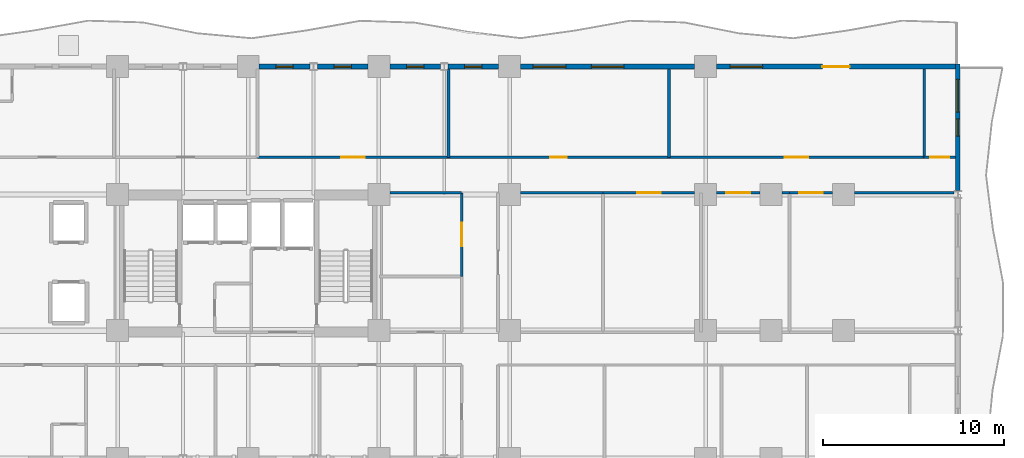
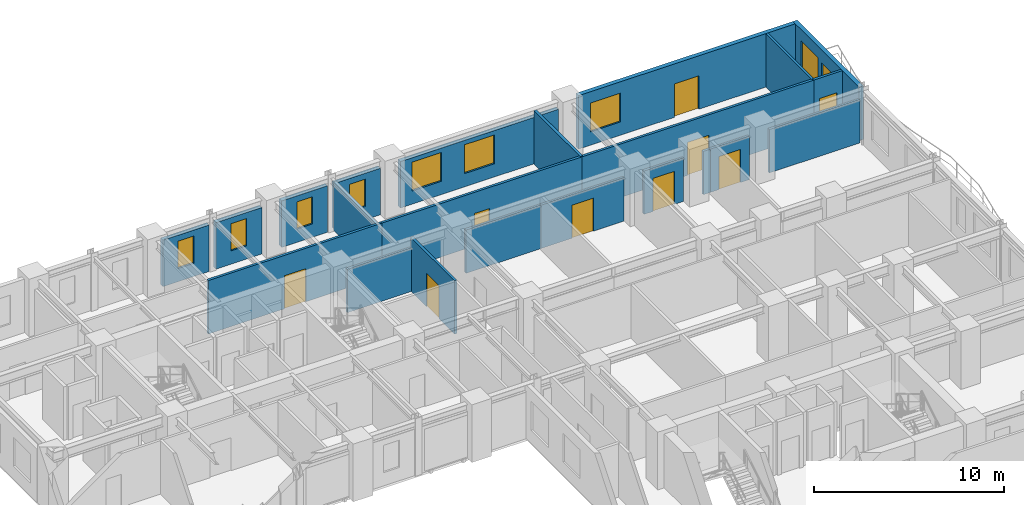
# One storey, part 7 of 11: 22 walls, 9 doors, 9 windows, 18 openings.
"""IFC4 building model written with IfcOpenShell, lengths in metres."""

from ifc_helpers import new_model, si_unit, direction, frame, frame_2d, origin, place, context, subcontext, project, spatial, rectangle, extrude, material, layer, layer_set, type_object, element, fill, save


model = new_model("IFC4")

# Units and contexts
model_context = context("Model", 3, precision=1e-05, world=origin(), true_north=direction((0.0, 1.0)))
body_context = subcontext(model_context, "Body", "Model", "MODEL_VIEW")
ifc_project = project(units=[si_unit("LENGTHUNIT", "METRE"), si_unit("AREAUNIT", "SQUARE_METRE"), si_unit("VOLUMEUNIT", "CUBIC_METRE"), si_unit("PLANEANGLEUNIT", "RADIAN"), si_unit("MASSUNIT", "GRAM", prefix="KILO")], contexts=[model_context])

# Site, building, storey
site_placement = place(None, origin())
site = spatial("IfcSite", under=ifc_project, at=site_placement, CompositionType="ELEMENT")
building_placement = place(site_placement, origin())
building = spatial("IfcBuilding", under=site, at=building_placement, Name="Kaliganga Portal Commons", CompositionType="ELEMENT")
storey_placement = place(building_placement, frame((0.0, 0.0, 104.5)))
storey = spatial("IfcBuildingStorey", under=building, at=storey_placement, Name="L26", CompositionType="ELEMENT", Elevation=104.5)

# Wall, openings, windows
ifc_material_1 = material(Name="Insulated Aluminium-Clad Spandrel Assembly", Category="aluminium")
ifc_layer_1 = layer(ifc_material_1, 0.260009765625)
ifc_layer_set_1 = layer_set([ifc_layer_1], Name="Insulated Aluminium-Clad Spandrel Assembly")
wall_type_1 = type_object("IfcWallType", Name="WL-EXT-SPAND-260", PredefinedType="STANDARD", material=ifc_layer_set_1)
wall_1_placement = place(storey_placement, frame((60.699951171875, 43.330078125, 0.0), z_axis=(0.0, 0.0, 1.0), x_axis=(0.0, -1.0, 0.0)))
wall_1 = element("IfcWall", 1, at=wall_1_placement, inside=storey, type_object=wall_type_1, Name="Exterior Envelope Wall L26 P1-E01-S6", PredefinedType="STANDARD", context=body_context, shape_type="SweptSolid", body=[
    extrude(rectangle(XDim=6.964111328125, YDim=0.260009765625, at=frame_2d((3.48193359375, 0.0))), origin(), (0.0, 0.0, 1.0), 3.429931640625),
])
opening_1_placement = place(wall_1_placement, frame((0.841064453125, 0.0, 0.85009765625)))
opening_1 = element("IfcOpeningElement", 2, at=opening_1_placement, cuts=wall_1, Name="Opening W-01", PredefinedType="OPENING", context=body_context, shape_type="SweptSolid", body=[
    extrude(rectangle(XDim=1.800048828125, YDim=1.85009765625, at=frame_2d((0.89990234375, 0.925048828125))), frame((0.0, 0.14013671875, 0.0), z_axis=(0.0, -1.0, 0.0), x_axis=(1.0, 0.0, 0.0)), (0.0, 0.0, 1.0), 0.280029296875),
])
opening_2_placement = place(wall_1_placement, frame((3.007080078125, 0.0, 0.85009765625)))
opening_2 = element("IfcOpeningElement", 3, at=opening_2_placement, cuts=wall_1, Name="Opening W-04", PredefinedType="OPENING", context=body_context, shape_type="SweptSolid", body=[
    extrude(rectangle(XDim=0.949951171875, YDim=1.75, at=frame_2d((0.47509765625, 0.875))), frame((0.0, 0.14013671875, 0.0), z_axis=(0.0, -1.0, 0.0), x_axis=(1.0, 0.0, 0.0)), (0.0, 0.0, 1.0), 0.280029296875),
])
ifc_material_2 = material(Name="Thermally Broken Aluminium and Low-E Double Glazing", Category="aluminium")
window_type_1 = type_object("IfcWindowType", Name="WIN-NARROW-950", PartitioningType="SINGLE_PANEL", PredefinedType="WINDOW", material=ifc_material_2)
window_1_placement = place(opening_2_placement, origin())
window_1 = element("IfcWindow", 4, at=window_1_placement, inside=storey, type_object=window_type_1, Name="Facade Window L26-P1E01S6-N0", OverallHeight=1.75, OverallWidth=0.949951171875, PartitioningType="SINGLE_PANEL", PredefinedType="WINDOW", context=body_context, shape_type="SweptSolid", body=[
    extrude(rectangle(XDim=0.949951171875, YDim=1.75, at=frame_2d((0.47509765625, 0.875))), frame((0.0, 0.030029296875, 0.0), z_axis=(0.0, -1.0, 0.0), x_axis=(1.0, 0.0, 0.0)), (0.0, 0.0, 1.0), 0.06005859375),
])
fill(opening_2, window_1)
window_type_2 = type_object("IfcWindowType", Name="WIN-STD-1800", PartitioningType="DOUBLE_PANEL_VERTICAL", PredefinedType="WINDOW", material=ifc_material_2)
window_2_placement = place(opening_1_placement, origin())
window_2 = element("IfcWindow", 5, at=window_2_placement, inside=storey, type_object=window_type_2, Name="Facade Window L26-P1E01S6-00", OverallHeight=1.85009765625, OverallWidth=1.800048828125, PartitioningType="SINGLE_PANEL", PredefinedType="WINDOW", context=body_context, shape_type="SweptSolid", body=[
    extrude(rectangle(XDim=1.800048828125, YDim=1.85009765625, at=frame_2d((0.89990234375, 0.925048828125))), frame((0.0, 0.030029296875, 0.0), z_axis=(0.0, -1.0, 0.0), x_axis=(1.0, 0.0, 0.0)), (0.0, 0.0, 1.0), 0.06005859375),
])
fill(opening_1, window_2)

# Wall, openings, door, window
wall_2_placement = place(storey_placement, frame((47.40087890625, 43.199951171875, 0.0), z_axis=(0.0, 0.0, 1.0), x_axis=(1.0, 0.0, 0.0)))
wall_2 = element("IfcWall", 6, at=wall_2_placement, inside=storey, type_object=wall_type_1, Name="Exterior Envelope Wall L26 P1-E02-S1", PredefinedType="STANDARD", context=body_context, shape_type="SweptSolid", body=[
    extrude(rectangle(XDim=13.1640625, YDim=0.260009765625, at=frame_2d((6.58203125, 0.0))), origin(), (0.0, 0.0, 1.0), 3.429931640625),
])
opening_3_placement = place(wall_2_placement, frame((5.83203125, 0.0, 0.0)))
opening_3 = element("IfcOpeningElement", 7, at=opening_3_placement, cuts=wall_2, Name="Opening BD-01", PredefinedType="OPENING", context=body_context, shape_type="SweptSolid", body=[
    extrude(rectangle(XDim=1.5, YDim=2.14990234375, at=frame_2d((0.75, 1.074951171875))), frame((0.0, 0.14013671875, 0.0), z_axis=(0.0, -1.0, 0.0), x_axis=(1.0, 0.0, 0.0)), (0.0, 0.0, 1.0), 0.280029296875),
])
opening_4_placement = place(wall_2_placement, frame((0.74560546875, 0.0, 0.85009765625)))
opening_4 = element("IfcOpeningElement", 8, at=opening_4_placement, cuts=wall_2, Name="Opening W-01", PredefinedType="OPENING", context=body_context, shape_type="SweptSolid", body=[
    extrude(rectangle(XDim=1.800048828125, YDim=1.85009765625, at=frame_2d((0.89990234375, 0.925048828125))), frame((0.0, 0.14013671875, 0.0), z_axis=(0.0, -1.0, 0.0), x_axis=(1.0, 0.0, 0.0)), (0.0, 0.0, 1.0), 0.280029296875),
])
ifc_material_3 = material(Name="Anodized Aluminium and Laminated Safety Glass", Category="aluminium")
door_type_1 = type_object("IfcDoorType", Name="DR-BALC-1500", OperationType="SLIDING_TO_LEFT", PredefinedType="DOOR", material=ifc_material_3)
door_1_placement = place(opening_3_placement, origin())
door_1 = element("IfcDoor", 9, at=door_1_placement, inside=storey, type_object=door_type_1, Name="Balcony Sliding Door L26 balc_north", OperationType="SLIDING_TO_LEFT", OverallHeight=2.14990234375, OverallWidth=1.5, PredefinedType="DOOR", context=body_context, shape_type="SweptSolid", body=[
    extrude(rectangle(XDim=1.5, YDim=2.14990234375, at=frame_2d((0.75, 1.074951171875))), frame((0.0, 0.02490234375, 0.0), z_axis=(0.0, -1.0, 0.0), x_axis=(1.0, 0.0, 0.0)), (0.0, 0.0, 1.0), 0.050048828125),
])
fill(opening_3, door_1)
window_3_placement = place(opening_4_placement, origin())
window_3 = element("IfcWindow", 10, at=window_3_placement, inside=storey, type_object=window_type_2, Name="Facade Window L26-P1E02S1-00", OverallHeight=1.85009765625, OverallWidth=1.800048828125, PartitioningType="SINGLE_PANEL", PredefinedType="WINDOW", context=body_context, shape_type="SweptSolid", body=[
    extrude(rectangle(XDim=1.800048828125, YDim=1.85009765625, at=frame_2d((0.89990234375, 0.925048828125))), frame((0.0, 0.030029296875, 0.0), z_axis=(0.0, -1.0, 0.0), x_axis=(1.0, 0.0, 0.0)), (0.0, 0.0, 1.0), 0.06005859375),
])
fill(opening_4, window_3)

# Wall, openings, windows
wall_3_placement = place(storey_placement, frame((36.60107421875, 43.199951171875, 0.0), z_axis=(0.0, 0.0, 1.0), x_axis=(1.0, 0.0, 0.0)))
wall_3 = element("IfcWall", 11, at=wall_3_placement, inside=storey, type_object=wall_type_1, Name="Exterior Envelope Wall L26 P1-E02-S2", PredefinedType="STANDARD", context=body_context, shape_type="SweptSolid", body=[
    extrude(rectangle(XDim=9.597900390625, YDim=0.260009765625, at=frame_2d((4.798828125, 0.0))), origin(), (0.0, 0.0, 1.0), 2.97998046875),
])
opening_5_placement = place(wall_3_placement, frame((0.69970703125, 0.0, 0.85009765625)))
opening_5 = element("IfcOpeningElement", 12, at=opening_5_placement, cuts=wall_3, Name="Opening W-01", PredefinedType="OPENING", context=body_context, shape_type="SweptSolid", body=[
    extrude(rectangle(XDim=1.800048828125, YDim=1.85009765625, at=frame_2d((0.89990234375, 0.925048828125))), frame((0.0, 0.14013671875, 0.0), z_axis=(0.0, -1.0, 0.0), x_axis=(1.0, 0.0, 0.0)), (0.0, 0.0, 1.0), 0.280029296875),
])
opening_6_placement = place(wall_3_placement, frame((3.89892578125, 0.0, 0.85009765625)))
opening_6 = element("IfcOpeningElement", 13, at=opening_6_placement, cuts=wall_3, Name="Opening W-01", PredefinedType="OPENING", context=body_context, shape_type="SweptSolid", body=[
    extrude(rectangle(XDim=1.800048828125, YDim=1.85009765625, at=frame_2d((0.89990234375, 0.925048828125))), frame((0.0, 0.14013671875, 0.0), z_axis=(0.0, -1.0, 0.0), x_axis=(1.0, 0.0, 0.0)), (0.0, 0.0, 1.0), 0.280029296875),
])
window_4_placement = place(opening_5_placement, origin())
window_4 = element("IfcWindow", 14, at=window_4_placement, inside=storey, type_object=window_type_2, Name="Facade Window L26-P1E02S2-00", OverallHeight=1.85009765625, OverallWidth=1.800048828125, PartitioningType="SINGLE_PANEL", PredefinedType="WINDOW", context=body_context, shape_type="SweptSolid", body=[
    extrude(rectangle(XDim=1.800048828125, YDim=1.85009765625, at=frame_2d((0.89990234375, 0.925048828125))), frame((0.0, 0.030029296875, 0.0), z_axis=(0.0, -1.0, 0.0), x_axis=(1.0, 0.0, 0.0)), (0.0, 0.0, 1.0), 0.06005859375),
])
fill(opening_5, window_4)
window_5_placement = place(opening_6_placement, origin())
window_5 = element("IfcWindow", 15, at=window_5_placement, inside=storey, type_object=window_type_2, Name="Facade Window L26-P1E02S2-01", OverallHeight=1.85009765625, OverallWidth=1.800048828125, PartitioningType="SINGLE_PANEL", PredefinedType="WINDOW", context=body_context, shape_type="SweptSolid", body=[
    extrude(rectangle(XDim=1.800048828125, YDim=1.85009765625, at=frame_2d((0.89990234375, 0.925048828125))), frame((0.0, 0.030029296875, 0.0), z_axis=(0.0, -1.0, 0.0), x_axis=(1.0, 0.0, 0.0)), (0.0, 0.0, 1.0), 0.06005859375),
])
fill(opening_6, window_5)

# Wall, opening, window
wall_4_placement = place(storey_placement, frame((32.60546875, 43.199951171875, 0.0), z_axis=(0.0, 0.0, 1.0), x_axis=(1.0, 0.0, 0.0)))
wall_4 = element("IfcWall", 16, at=wall_4_placement, inside=storey, type_object=wall_type_1, Name="Exterior Envelope Wall L26 P1-E02-S3", PredefinedType="STANDARD", context=body_context, shape_type="SweptSolid", body=[
    extrude(rectangle(XDim=2.79345703125, YDim=0.260009765625, at=frame_2d((1.396728515625, 0.0))), origin(), (0.0, 0.0, 1.0), 2.97998046875),
])
opening_7_placement = place(wall_4_placement, frame((0.921875, 0.0, 0.85009765625)))
opening_7 = element("IfcOpeningElement", 17, at=opening_7_placement, cuts=wall_4, Name="Opening W-04", PredefinedType="OPENING", context=body_context, shape_type="SweptSolid", body=[
    extrude(rectangle(XDim=0.949951171875, YDim=1.75, at=frame_2d((0.47509765625, 0.875))), frame((0.0, 0.14013671875, 0.0), z_axis=(0.0, -1.0, 0.0), x_axis=(1.0, 0.0, 0.0)), (0.0, 0.0, 1.0), 0.280029296875),
])
window_6_placement = place(opening_7_placement, origin())
window_6 = element("IfcWindow", 18, at=window_6_placement, inside=storey, type_object=window_type_1, Name="Facade Window L26-P1E02S3-00", OverallHeight=1.75, OverallWidth=0.949951171875, PartitioningType="SINGLE_PANEL", PredefinedType="WINDOW", context=body_context, shape_type="SweptSolid", body=[
    extrude(rectangle(XDim=0.949951171875, YDim=1.75, at=frame_2d((0.47509765625, 0.875))), frame((0.0, 0.030029296875, 0.0), z_axis=(0.0, -1.0, 0.0), x_axis=(1.0, 0.0, 0.0)), (0.0, 0.0, 1.0), 0.06005859375),
])
fill(opening_7, window_6)

wall_5_placement = place(storey_placement, frame((29.40087890625, 43.199951171875, 0.0), z_axis=(0.0, 0.0, 1.0), x_axis=(1.0, 0.0, 0.0)))
wall_5 = element("IfcWall", 19, at=wall_5_placement, inside=storey, type_object=wall_type_1, Name="Exterior Envelope Wall L26 P1-E02-S4", PredefinedType="STANDARD", context=body_context, shape_type="SweptSolid", body=[
    extrude(rectangle(XDim=2.793701171875, YDim=0.260009765625, at=frame_2d((1.39697265625, 0.0))), origin(), (0.0, 0.0, 1.0), 2.97998046875),
])
opening_8_placement = place(wall_5_placement, frame((0.921630859375, 0.0, 0.85009765625)))
opening_8 = element("IfcOpeningElement", 20, at=opening_8_placement, cuts=wall_5, Name="Opening W-04", PredefinedType="OPENING", context=body_context, shape_type="SweptSolid", body=[
    extrude(rectangle(XDim=0.949951171875, YDim=1.75, at=frame_2d((0.47509765625, 0.875))), frame((0.0, 0.14013671875, 0.0), z_axis=(0.0, -1.0, 0.0), x_axis=(1.0, 0.0, 0.0)), (0.0, 0.0, 1.0), 0.280029296875),
])
window_7_placement = place(opening_8_placement, origin())
window_7 = element("IfcWindow", 21, at=window_7_placement, inside=storey, type_object=window_type_1, Name="Facade Window L26-P1E02S4-00", OverallHeight=1.75, OverallWidth=0.949951171875, PartitioningType="SINGLE_PANEL", PredefinedType="WINDOW", context=body_context, shape_type="SweptSolid", body=[
    extrude(rectangle(XDim=0.949951171875, YDim=1.75, at=frame_2d((0.47509765625, 0.875))), frame((0.0, 0.030029296875, 0.0), z_axis=(0.0, -1.0, 0.0), x_axis=(1.0, 0.0, 0.0)), (0.0, 0.0, 1.0), 0.06005859375),
])
fill(opening_8, window_7)

wall_6_placement = place(storey_placement, frame((25.405517578125, 43.199951171875, 0.0), z_axis=(0.0, 0.0, 1.0), x_axis=(1.0, 0.0, 0.0)))
wall_6 = element("IfcWall", 22, at=wall_6_placement, inside=storey, type_object=wall_type_1, Name="Exterior Envelope Wall L26 P1-E02-S5", PredefinedType="STANDARD", context=body_context, shape_type="SweptSolid", body=[
    extrude(rectangle(XDim=2.79345703125, YDim=0.260009765625, at=frame_2d((1.396728515625, 0.0))), origin(), (0.0, 0.0, 1.0), 2.97998046875),
])
opening_9_placement = place(wall_6_placement, frame((0.921875, 0.0, 0.85009765625)))
opening_9 = element("IfcOpeningElement", 23, at=opening_9_placement, cuts=wall_6, Name="Opening W-04", PredefinedType="OPENING", context=body_context, shape_type="SweptSolid", body=[
    extrude(rectangle(XDim=0.949951171875, YDim=1.75, at=frame_2d((0.47509765625, 0.875))), frame((0.0, 0.14013671875, 0.0), z_axis=(0.0, -1.0, 0.0), x_axis=(1.0, 0.0, 0.0)), (0.0, 0.0, 1.0), 0.280029296875),
])
window_8_placement = place(opening_9_placement, origin())
window_8 = element("IfcWindow", 24, at=window_8_placement, inside=storey, type_object=window_type_1, Name="Facade Window L26-P1E02S5-00", OverallHeight=1.75, OverallWidth=0.949951171875, PartitioningType="SINGLE_PANEL", PredefinedType="WINDOW", context=body_context, shape_type="SweptSolid", body=[
    extrude(rectangle(XDim=0.949951171875, YDim=1.75, at=frame_2d((0.47509765625, 0.875))), frame((0.0, 0.030029296875, 0.0), z_axis=(0.0, -1.0, 0.0), x_axis=(1.0, 0.0, 0.0)), (0.0, 0.0, 1.0), 0.06005859375),
])
fill(opening_9, window_8)

wall_7_placement = place(storey_placement, frame((22.200927734375, 43.199951171875, 0.0), z_axis=(0.0, 0.0, 1.0), x_axis=(1.0, 0.0, 0.0)))
wall_7 = element("IfcWall", 25, at=wall_7_placement, inside=storey, type_object=wall_type_1, Name="Exterior Envelope Wall L26 P1-E02-S6", PredefinedType="STANDARD", context=body_context, shape_type="SweptSolid", body=[
    extrude(rectangle(XDim=2.79345703125, YDim=0.260009765625, at=frame_2d((1.396728515625, 0.0))), origin(), (0.0, 0.0, 1.0), 2.97998046875),
])
opening_10_placement = place(wall_7_placement, frame((0.921630859375, 0.0, 0.85009765625)))
opening_10 = element("IfcOpeningElement", 26, at=opening_10_placement, cuts=wall_7, Name="Opening W-04", PredefinedType="OPENING", context=body_context, shape_type="SweptSolid", body=[
    extrude(rectangle(XDim=0.949951171875, YDim=1.75, at=frame_2d((0.47509765625, 0.875))), frame((0.0, 0.14013671875, 0.0), z_axis=(0.0, -1.0, 0.0), x_axis=(1.0, 0.0, 0.0)), (0.0, 0.0, 1.0), 0.280029296875),
])
window_9_placement = place(opening_10_placement, origin())
window_9 = element("IfcWindow", 27, at=window_9_placement, inside=storey, type_object=window_type_1, Name="Facade Window L26-P1E02S6-00", OverallHeight=1.75, OverallWidth=0.949951171875, PartitioningType="SINGLE_PANEL", PredefinedType="WINDOW", context=body_context, shape_type="SweptSolid", body=[
    extrude(rectangle(XDim=0.949951171875, YDim=1.75, at=frame_2d((0.47509765625, 0.875))), frame((0.0, 0.030029296875, 0.0), z_axis=(0.0, -1.0, 0.0), x_axis=(1.0, 0.0, 0.0)), (0.0, 0.0, 1.0), 0.06005859375),
])
fill(opening_10, window_9)

# Wall, opening, door
ifc_material_4 = material(Name="Fire-Rated Gypsum Board on Steel Stud", Category="steel")
ifc_layer_2 = layer(ifc_material_4, 0.14990234375)
ifc_layer_set_2 = layer_set([ifc_layer_2], Name="Fire-Rated Gypsum Board on Steel Stud")
wall_type_2 = type_object("IfcWallType", Name="WL-PART-CORR-150", PredefinedType="PARTITIONING", material=ifc_layer_set_2)
wall_8_placement = place(storey_placement, frame((44.780029296875, 38.199951171875, 0.0), z_axis=(0.0, 0.0, 1.0), x_axis=(1.0, 0.0, 0.0)))
wall_8 = element("IfcWall", 28, at=wall_8_placement, inside=storey, type_object=wall_type_2, Name="Interior Partition L26-006", PredefinedType="PARTITIONING", context=body_context, shape_type="SweptSolid", body=[
    extrude(rectangle(XDim=14.06005859375, YDim=0.14990234375, at=frame_2d((7.030029296875, 0.0))), origin(), (0.0, 0.0, 1.0), 3.429931640625),
])
opening_11_placement = place(wall_8_placement, frame((6.3798828125, 0.0, 0.0)))
opening_11 = element("IfcOpeningElement", 29, at=opening_11_placement, cuts=wall_8, Name="Opening RD-03", PredefinedType="OPENING", context=body_context, shape_type="SweptSolid", body=[
    extrude(rectangle(XDim=1.300048828125, YDim=2.1201171875, at=frame_2d((0.64990234375, 1.06005859375))), frame((0.0, 0.0849609375, 0.0), z_axis=(0.0, -1.0, 0.0), x_axis=(1.0, 0.0, 0.0)), (0.0, 0.0, 1.0), 0.169921875),
])
ifc_material_5 = material(Name="Glazed Timber Seminar Vision Door", Category="wood")
door_type_2 = type_object("IfcDoorType", Name="DR-STUDY-1300", OperationType="DOUBLE_DOOR_SINGLE_SWING", PredefinedType="DOOR", material=ifc_material_5)
door_2_placement = place(opening_11_placement, origin())
door_2 = element("IfcDoor", 30, at=door_2_placement, inside=storey, type_object=door_type_2, Name="Interior Door L26-AN05", OperationType="DOUBLE_DOOR_SINGLE_SWING", OverallHeight=2.1201171875, OverallWidth=1.300048828125, PredefinedType="DOOR", context=body_context, shape_type="SweptSolid", body=[
    extrude(rectangle(XDim=1.300048828125, YDim=2.1201171875, at=frame_2d((0.64990234375, 1.06005859375))), frame((0.0, 0.02490234375, 0.0), z_axis=(0.0, -1.0, 0.0), x_axis=(1.0, 0.0, 0.0)), (0.0, 0.0, 1.0), 0.050048828125),
])
fill(opening_11, door_2)

wall_9_placement = place(storey_placement, frame((32.6201171875, 38.199951171875, 0.0), z_axis=(0.0, 0.0, 1.0), x_axis=(1.0, 0.0, 0.0)))
wall_9 = element("IfcWall", 31, at=wall_9_placement, inside=storey, type_object=wall_type_2, Name="Interior Partition L26-008", PredefinedType="PARTITIONING", context=body_context, shape_type="SweptSolid", body=[
    extrude(rectangle(XDim=12.159912109375, YDim=0.14990234375, at=frame_2d((6.080078125, 0.0))), origin(), (0.0, 0.0, 1.0), 3.429931640625),
])
opening_12_placement = place(wall_9_placement, frame((5.6298828125, 0.0, 0.0)))
opening_12 = element("IfcOpeningElement", 32, at=opening_12_placement, cuts=wall_9, Name="Opening RD-01", PredefinedType="OPENING", context=body_context, shape_type="SweptSolid", body=[
    extrude(rectangle(XDim=0.89990234375, YDim=2.080078125, at=frame_2d((0.449951171875, 1.0400390625))), frame((0.0, 0.0849609375, 0.0), z_axis=(0.0, -1.0, 0.0), x_axis=(1.0, 0.0, 0.0)), (0.0, 0.0, 1.0), 0.169921875),
])
ifc_material_6 = material(Name="Engineered Timber Flush Door", Category="wood")
door_type_3 = type_object("IfcDoorType", Name="DR-ROOM-900", OperationType="NOTDEFINED", PredefinedType="DOOR", material=ifc_material_6)
door_3_placement = place(opening_12_placement, origin())
door_3 = element("IfcDoor", 33, at=door_3_placement, inside=storey, type_object=door_type_3, Name="Interior Door L26-AN04", OperationType="SINGLE_SWING_LEFT", OverallHeight=2.080078125, OverallWidth=0.89990234375, PredefinedType="DOOR", context=body_context, shape_type="SweptSolid", body=[
    extrude(rectangle(XDim=0.89990234375, YDim=2.080078125, at=frame_2d((0.449951171875, 1.0400390625))), frame((0.0, 0.02490234375, 0.0), z_axis=(0.0, -1.0, 0.0), x_axis=(1.0, 0.0, 0.0)), (0.0, 0.0, 1.0), 0.050048828125),
])
fill(opening_12, door_3)

wall_10_placement = place(storey_placement, frame((22.10009765625, 38.199951171875, 0.0), z_axis=(0.0, 0.0, 1.0), x_axis=(1.0, 0.0, 0.0)))
wall_10 = element("IfcWall", 34, at=wall_10_placement, inside=storey, type_object=wall_type_2, Name="Interior Partition L26-009", PredefinedType="PARTITIONING", context=body_context, shape_type="SweptSolid", body=[
    extrude(rectangle(XDim=10.52001953125, YDim=0.14990234375, at=frame_2d((5.260009765625, 0.0))), origin(), (0.0, 0.0, 1.0), 3.429931640625),
])
opening_13_placement = place(wall_10_placement, frame((4.610107421875, 0.0, 0.0)))
opening_13 = element("IfcOpeningElement", 35, at=opening_13_placement, cuts=wall_10, Name="Opening RD-03", PredefinedType="OPENING", context=body_context, shape_type="SweptSolid", body=[
    extrude(rectangle(XDim=1.300048828125, YDim=2.1201171875, at=frame_2d((0.64990234375, 1.06005859375))), frame((0.0, 0.0849609375, 0.0), z_axis=(0.0, -1.0, 0.0), x_axis=(1.0, 0.0, 0.0)), (0.0, 0.0, 1.0), 0.169921875),
])
door_4_placement = place(opening_13_placement, origin())
door_4 = element("IfcDoor", 36, at=door_4_placement, inside=storey, type_object=door_type_2, Name="Interior Door L26-AN03", OperationType="DOUBLE_DOOR_SINGLE_SWING", OverallHeight=2.1201171875, OverallWidth=1.300048828125, PredefinedType="DOOR", context=body_context, shape_type="SweptSolid", body=[
    extrude(rectangle(XDim=1.300048828125, YDim=2.1201171875, at=frame_2d((0.64990234375, 1.06005859375))), frame((0.0, 0.02490234375, 0.0), z_axis=(0.0, -1.0, 0.0), x_axis=(1.0, 0.0, 0.0)), (0.0, 0.0, 1.0), 0.050048828125),
])
fill(opening_13, door_4)

wall_11_placement = place(storey_placement, frame((51.419921875, 36.239990234375, 0.0), z_axis=(0.0, 0.0, 1.0), x_axis=(1.0, 0.0, 0.0)))
wall_11 = element("IfcWall", 37, at=wall_11_placement, inside=storey, type_object=wall_type_2, Name="Interior Partition L26-014", PredefinedType="PARTITIONING", context=body_context, shape_type="SweptSolid", body=[
    extrude(rectangle(XDim=2.380126953125, YDim=0.14990234375, at=frame_2d((1.18994140625, 0.0))), origin(), (0.0, 0.0, 1.0), 2.780029296875),
])
opening_14_placement = place(wall_11_placement, frame((0.5400390625, 0.0, 0.0)))
opening_14 = element("IfcOpeningElement", 38, at=opening_14_placement, cuts=wall_11, Name="Opening RD-03", PredefinedType="OPENING", context=body_context, shape_type="SweptSolid", body=[
    extrude(rectangle(XDim=1.300048828125, YDim=2.1201171875, at=frame_2d((0.64990234375, 1.06005859375))), frame((0.0, 0.0849609375, 0.0), z_axis=(0.0, -1.0, 0.0), x_axis=(1.0, 0.0, 0.0)), (0.0, 0.0, 1.0), 0.169921875),
])
door_5_placement = place(opening_14_placement, origin())
door_5 = element("IfcDoor", 39, at=door_5_placement, inside=storey, type_object=door_type_2, Name="Interior Door L26-BK04", OperationType="DOUBLE_DOOR_SINGLE_SWING", OverallHeight=2.1201171875, OverallWidth=1.300048828125, PredefinedType="DOOR", context=body_context, shape_type="SweptSolid", body=[
    extrude(rectangle(XDim=1.300048828125, YDim=2.1201171875, at=frame_2d((0.64990234375, 1.06005859375))), frame((0.0, 0.02490234375, 0.0), z_axis=(0.0, -1.0, 0.0), x_axis=(1.0, 0.0, 0.0)), (0.0, 0.0, 1.0), 0.050048828125),
])
fill(opening_14, door_5)

# Walls
wall_12_placement = place(storey_placement, frame((55.0, 36.239990234375, 0.0), z_axis=(0.0, 0.0, 1.0), x_axis=(1.0, 0.0, 0.0)))
element("IfcWall", 40, at=wall_12_placement, inside=storey, type_object=wall_type_2, Name="Interior Partition L26-015", PredefinedType="PARTITIONING", context=body_context, shape_type="SweptSolid", body=[
    extrude(rectangle(XDim=5.49560546875, YDim=0.14990234375, at=frame_2d((2.747802734375, 0.0))), origin(), (0.0, 0.0, 1.0), 2.780029296875),
])
wall_13_placement = place(storey_placement, frame((36.60009765625, 36.239990234375, 0.0), z_axis=(0.0, 0.0, 1.0), x_axis=(1.0, 0.0, 0.0)))
element("IfcWall", 41, at=wall_13_placement, inside=storey, type_object=wall_type_2, Name="Interior Partition L26-027", PredefinedType="PARTITIONING", context=body_context, shape_type="SweptSolid", body=[
    extrude(rectangle(XDim=4.559814453125, YDim=0.14990234375, at=frame_2d((2.27978515625, 0.0))), origin(), (0.0, 0.0, 1.0), 2.780029296875),
])

# Wall, opening, door
wall_14_placement = place(storey_placement, frame((41.159912109375, 36.239990234375, 0.0), z_axis=(0.0, 0.0, 1.0), x_axis=(1.0, 0.0, 0.0)))
wall_14 = element("IfcWall", 42, at=wall_14_placement, inside=storey, type_object=wall_type_2, Name="Interior Partition L26-030", PredefinedType="PARTITIONING", context=body_context, shape_type="SweptSolid", body=[
    extrude(rectangle(XDim=5.0400390625, YDim=0.14990234375, at=frame_2d((2.52001953125, 0.0))), origin(), (0.0, 0.0, 1.0), 2.780029296875),
])
opening_15_placement = place(wall_14_placement, frame((1.8701171875, 0.0, 0.0)))
opening_15 = element("IfcOpeningElement", 43, at=opening_15_placement, cuts=wall_14, Name="Opening RD-03", PredefinedType="OPENING", context=body_context, shape_type="SweptSolid", body=[
    extrude(rectangle(XDim=1.300048828125, YDim=2.1201171875, at=frame_2d((0.64990234375, 1.06005859375))), frame((0.0, 0.0849609375, 0.0), z_axis=(0.0, -1.0, 0.0), x_axis=(1.0, 0.0, 0.0)), (0.0, 0.0, 1.0), 0.169921875),
])
door_6_placement = place(opening_15_placement, origin())
door_6 = element("IfcDoor", 44, at=door_6_placement, inside=storey, type_object=door_type_2, Name="Interior Door L26-BK02", OperationType="DOUBLE_DOOR_SINGLE_SWING", OverallHeight=2.1201171875, OverallWidth=1.300048828125, PredefinedType="DOOR", context=body_context, shape_type="SweptSolid", body=[
    extrude(rectangle(XDim=1.300048828125, YDim=2.1201171875, at=frame_2d((0.64990234375, 1.06005859375))), frame((0.0, 0.02490234375, 0.0), z_axis=(0.0, -1.0, 0.0), x_axis=(1.0, 0.0, 0.0)), (0.0, 0.0, 1.0), 0.050048828125),
])
fill(opening_15, door_6)

wall_15_placement = place(storey_placement, frame((47.39990234375, 36.239990234375, 0.0), z_axis=(0.0, 0.0, 1.0), x_axis=(1.0, 0.0, 0.0)))
wall_15 = element("IfcWall", 45, at=wall_15_placement, inside=storey, type_object=wall_type_2, Name="Interior Partition L26-033", PredefinedType="PARTITIONING", context=body_context, shape_type="SweptSolid", body=[
    extrude(rectangle(XDim=2.400146484375, YDim=0.14990234375, at=frame_2d((1.2001953125, 0.0))), origin(), (0.0, 0.0, 1.0), 2.780029296875),
])
opening_16_placement = place(wall_15_placement, frame((0.550048828125, 0.0, 0.0)))
opening_16 = element("IfcOpeningElement", 46, at=opening_16_placement, cuts=wall_15, Name="Opening RD-03", PredefinedType="OPENING", context=body_context, shape_type="SweptSolid", body=[
    extrude(rectangle(XDim=1.300048828125, YDim=2.1201171875, at=frame_2d((0.64990234375, 1.06005859375))), frame((0.0, 0.0849609375, 0.0), z_axis=(0.0, -1.0, 0.0), x_axis=(1.0, 0.0, 0.0)), (0.0, 0.0, 1.0), 0.169921875),
])
door_7_placement = place(opening_16_placement, origin())
door_7 = element("IfcDoor", 47, at=door_7_placement, inside=storey, type_object=door_type_2, Name="Interior Door L26-BK03", OperationType="DOUBLE_DOOR_SINGLE_SWING", OverallHeight=2.1201171875, OverallWidth=1.300048828125, PredefinedType="DOOR", context=body_context, shape_type="SweptSolid", body=[
    extrude(rectangle(XDim=1.300048828125, YDim=2.1201171875, at=frame_2d((0.64990234375, 1.06005859375))), frame((0.0, 0.02490234375, 0.0), z_axis=(0.0, -1.0, 0.0), x_axis=(1.0, 0.0, 0.0)), (0.0, 0.0, 1.0), 0.050048828125),
])
fill(opening_16, door_7)

# Wall
wall_16_placement = place(storey_placement, frame((51.0, 36.239990234375, 0.0), z_axis=(0.0, 0.0, 1.0), x_axis=(1.0, 0.0, 0.0)))
element("IfcWall", 48, at=wall_16_placement, inside=storey, type_object=wall_type_2, Name="Interior Partition L26-034", PredefinedType="PARTITIONING", context=body_context, shape_type="SweptSolid", body=[
    extrude(rectangle(XDim=0.419921875, YDim=0.14990234375, at=frame_2d((0.2099609375, 0.0))), origin(), (0.0, 0.0, 1.0), 2.780029296875),
])

# Wall, opening, door
wall_17_placement = place(storey_placement, frame((33.360107421875, 31.639892578125, 0.0), z_axis=(0.0, 0.0, 1.0), x_axis=(0.0, 1.0, 0.0)))
wall_17 = element("IfcWall", 49, at=wall_17_placement, inside=storey, type_object=wall_type_2, Name="Interior Partition L26-036", PredefinedType="PARTITIONING", context=body_context, shape_type="SweptSolid", body=[
    extrude(rectangle(XDim=4.60009765625, YDim=0.14990234375, at=frame_2d((2.300048828125, 0.0))), origin(), (0.0, 0.0, 1.0), 3.429931640625),
])
opening_17_placement = place(wall_17_placement, frame((1.64990234375, 0.0, 0.0)))
opening_17 = element("IfcOpeningElement", 50, at=opening_17_placement, cuts=wall_17, Name="Opening RD-03", PredefinedType="OPENING", context=body_context, shape_type="SweptSolid", body=[
    extrude(rectangle(XDim=1.300048828125, YDim=2.1201171875, at=frame_2d((0.64990234375, 1.06005859375))), frame((0.0, 0.0849609375, 0.0), z_axis=(0.0, -1.0, 0.0), x_axis=(1.0, 0.0, 0.0)), (0.0, 0.0, 1.0), 0.169921875),
])
door_8_placement = place(opening_17_placement, origin())
door_8 = element("IfcDoor", 51, at=door_8_placement, inside=storey, type_object=door_type_2, Name="Interior Door L26-CSRV_A2", OperationType="DOUBLE_DOOR_SINGLE_SWING", OverallHeight=2.1201171875, OverallWidth=1.300048828125, PredefinedType="DOOR", context=body_context, shape_type="SweptSolid", body=[
    extrude(rectangle(XDim=1.300048828125, YDim=2.1201171875, at=frame_2d((0.64990234375, 1.06005859375))), frame((0.0, 0.02490234375, 0.0), z_axis=(0.0, -1.0, 0.0), x_axis=(1.0, 0.0, 0.0)), (0.0, 0.0, 1.0), 0.050048828125),
])
fill(opening_17, door_8)

# Wall
wall_18_placement = place(storey_placement, frame((29.39990234375, 36.239990234375, 0.0), z_axis=(0.0, 0.0, 1.0), x_axis=(1.0, 0.0, 0.0)))
element("IfcWall", 52, at=wall_18_placement, inside=storey, type_object=wall_type_2, Name="Interior Partition L26-038", PredefinedType="PARTITIONING", context=body_context, shape_type="SweptSolid", body=[
    extrude(rectangle(XDim=3.960205078125, YDim=0.14990234375, at=frame_2d((1.97998046875, 0.0))), origin(), (0.0, 0.0, 1.0), 2.780029296875),
])

# Wall, opening, door
wall_19_placement = place(storey_placement, frame((58.840087890625, 38.199951171875, 0.0), z_axis=(0.0, 0.0, 1.0), x_axis=(1.0, 0.0, 0.0)))
wall_19 = element("IfcWall", 53, at=wall_19_placement, inside=storey, type_object=wall_type_2, Name="Interior Partition L26-046", PredefinedType="PARTITIONING", context=body_context, shape_type="SweptSolid", body=[
    extrude(rectangle(XDim=1.72802734375, YDim=0.14990234375, at=frame_2d((0.864013671875, 0.0))), origin(), (0.0, 0.0, 1.0), 3.429931640625),
])
opening_18_placement = place(wall_19_placement, frame((0.339111328125, 0.0, 0.0)))
opening_18 = element("IfcOpeningElement", 54, at=opening_18_placement, cuts=wall_19, Name="Opening UD-02", PredefinedType="OPENING", context=body_context, shape_type="SweptSolid", body=[
    extrude(rectangle(XDim=1.050048828125, YDim=2.1201171875, at=frame_2d((0.52490234375, 1.06005859375))), frame((0.0, 0.0849609375, 0.0), z_axis=(0.0, -1.0, 0.0), x_axis=(1.0, 0.0, 0.0)), (0.0, 0.0, 1.0), 0.169921875),
])
ifc_material_7 = material(Name="Accessible Wide-Leaf Acoustic Fire Door", Category="wood")
door_type_4 = type_object("IfcDoorType", Name="DR-ACC-1050", OperationType="NOTDEFINED", PredefinedType="DOOR", material=ifc_material_7)
door_9_placement = place(opening_18_placement, origin())
door_9 = element("IfcDoor", 55, at=door_9_placement, inside=storey, type_object=door_type_4, Name="Interior Door L26-AN06", OperationType="SINGLE_SWING_LEFT", OverallHeight=2.1201171875, OverallWidth=1.050048828125, PredefinedType="DOOR", context=body_context, shape_type="SweptSolid", body=[
    extrude(rectangle(XDim=1.050048828125, YDim=2.1201171875, at=frame_2d((0.52490234375, 1.06005859375))), frame((0.0, 0.02490234375, 0.0), z_axis=(0.0, -1.0, 0.0), x_axis=(1.0, 0.0, 0.0)), (0.0, 0.0, 1.0), 0.050048828125),
])
fill(opening_18, door_9)

# Walls
ifc_material_8 = material(Name="Twin-Stud Acoustic Gypsum Partition", Category="gypsum")
ifc_layer_3 = layer(ifc_material_8, 0.1650390625)
ifc_layer_set_3 = layer_set([ifc_layer_3], Name="Twin-Stud Acoustic Gypsum Partition")
wall_type_3 = type_object("IfcWallType", Name="WL-PART-UNIT-165", PredefinedType="PARTITIONING", material=ifc_layer_set_3)
wall_20_placement = place(storey_placement, frame((32.6201171875, 38.199951171875, 0.0), z_axis=(0.0, 0.0, 1.0), x_axis=(0.0, 1.0, 0.0)))
element("IfcWall", 56, at=wall_20_placement, inside=storey, type_object=wall_type_3, Name="Interior Partition L26-067", PredefinedType="PARTITIONING", context=body_context, shape_type="SweptSolid", body=[
    extrude(rectangle(XDim=4.8681640625, YDim=0.1650390625, at=frame_2d((2.43408203125, 0.0))), origin(), (0.0, 0.0, 1.0), 3.10009765625),
])
wall_21_placement = place(storey_placement, frame((44.780029296875, 38.199951171875, 0.0), z_axis=(0.0, 0.0, 1.0), x_axis=(0.0, 1.0, 0.0)))
element("IfcWall", 57, at=wall_21_placement, inside=storey, type_object=wall_type_3, Name="Interior Partition L26-068", PredefinedType="PARTITIONING", context=body_context, shape_type="SweptSolid", body=[
    extrude(rectangle(XDim=4.8681640625, YDim=0.1650390625, at=frame_2d((2.43408203125, 0.0))), origin(), (0.0, 0.0, 1.0), 3.429931640625),
])
ifc_material_9 = material(Name="Cement-Board Wet-Room Partition", Category="gypsum")
ifc_layer_4 = layer(ifc_material_9, 0.135009765625)
ifc_layer_set_4 = layer_set([ifc_layer_4], Name="Cement-Board Wet-Room Partition")
wall_type_4 = type_object("IfcWallType", Name="WL-PART-WET-135", PredefinedType="PARTITIONING", material=ifc_layer_set_4)
wall_22_placement = place(storey_placement, frame((58.840087890625, 38.199951171875, 0.0), z_axis=(0.0, 0.0, 1.0), x_axis=(0.0, 1.0, 0.0)))
element("IfcWall", 58, at=wall_22_placement, inside=storey, type_object=wall_type_4, Name="Interior Partition L26-069", PredefinedType="PARTITIONING", context=body_context, shape_type="SweptSolid", body=[
    extrude(rectangle(XDim=4.8681640625, YDim=0.135009765625, at=frame_2d((2.43408203125, 0.0))), origin(), (0.0, 0.0, 1.0), 3.429931640625),
])

save(model, "model.ifc")
